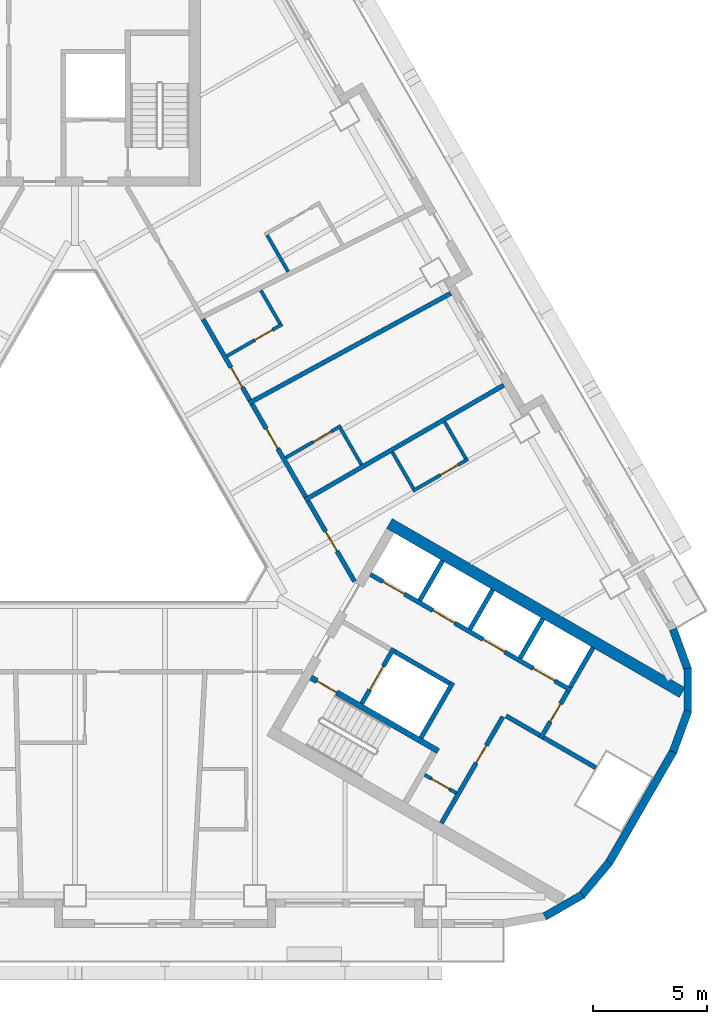
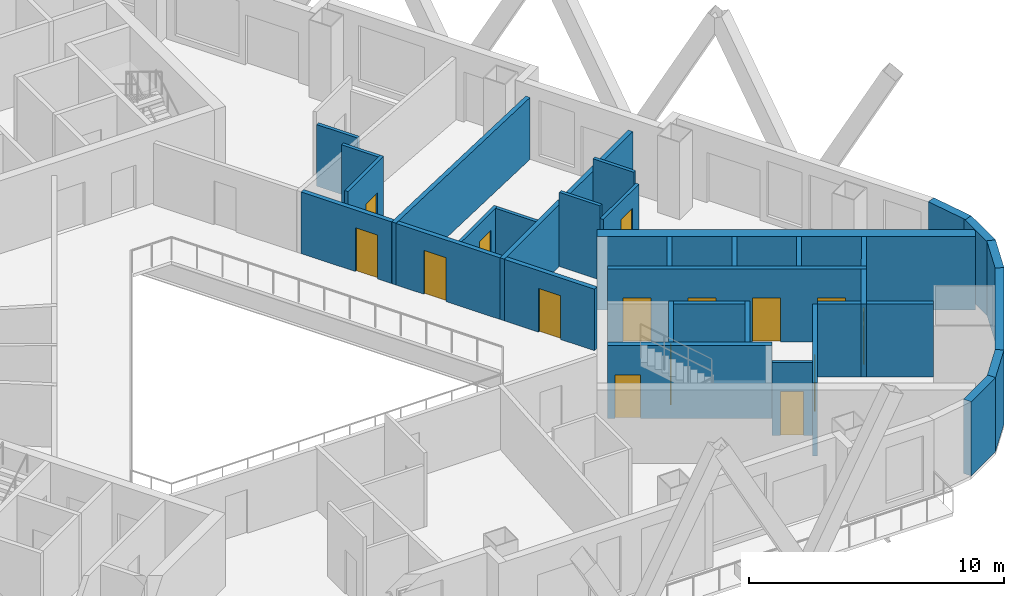
# One storey, part 5 of 13: 34 walls, 15 doors, 15 openings.
"""IFC4 building model written with IfcOpenShell, lengths in metres."""

from ifc_helpers import new_model, si_unit, direction, frame, frame_2d, origin, place, context, subcontext, project, spatial, rectangle, extrude, material, layer, layer_set, type_object, element, fill, save


model = new_model("IFC4")

# Units and contexts
model_context = context("Model", 3, precision=1e-05, world=origin(), true_north=direction((0.0, 1.0)))
body_context = subcontext(model_context, "Body", "Model", "MODEL_VIEW")
ifc_project = project(units=[si_unit("LENGTHUNIT", "METRE"), si_unit("AREAUNIT", "SQUARE_METRE"), si_unit("VOLUMEUNIT", "CUBIC_METRE"), si_unit("PLANEANGLEUNIT", "RADIAN"), si_unit("MASSUNIT", "GRAM", prefix="KILO")], contexts=[model_context])

# Site, building, storey
site_placement = place(None, origin())
site = spatial("IfcSite", under=ifc_project, at=site_placement, CompositionType="ELEMENT")
building_placement = place(site_placement, origin())
building = spatial("IfcBuilding", under=site, at=building_placement, Name="Apuvela Tower Hotel", CompositionType="ELEMENT")
storey_placement = place(building_placement, frame((0.0, 0.0, 83.5)))
storey = spatial("IfcBuildingStorey", under=building, at=storey_placement, Name="L18", CompositionType="ELEMENT", Elevation=83.5)

# Wall
ifc_material_1 = material(Name="Concrete C50/60", Category="concrete")
ifc_layer_1 = layer(ifc_material_1, 0.5)
ifc_layer_set_1 = layer_set([ifc_layer_1], Name="COR-WALL-CORE-500")
wall_type_1 = type_object("IfcWallType", Name="COR-WALL-CORE-500", PredefinedType="SHEAR", material=ifc_layer_set_1)
wall_1_placement = place(storey_placement, frame((13.796630859375, -1.9033203125, 0.0), z_axis=(0.0, 0.0, 1.0), x_axis=(0.866025009528, -0.500000682871, 0.0)))
element("IfcWall", 1, at=wall_1_placement, inside=storey, type_object=wall_type_1, Name="Core wall SE", PredefinedType="SHEAR", context=body_context, shape_type="SweptSolid", body=[
    extrude(rectangle(XDim=14.8369140625, YDim=0.5, at=frame_2d((7.41845703125, 0.0))), origin(), (0.0, 0.0, 1.0), 3.5),
])

# Wall, opening, door
ifc_material_2 = material(Name="Blockwork 150 mm plastered", Category="masonry")
ifc_layer_2 = layer(ifc_material_2, 0.14990234375)
ifc_layer_set_2 = layer_set([ifc_layer_2], Name="COR-WALL-PART-150")
wall_type_2 = type_object("IfcWallType", Name="COR-WALL-PART-150", PredefinedType="PARTITIONING", material=ifc_layer_set_2)
wall_2_placement = place(storey_placement, frame((15.341552734375, -12.927734375, 0.0), z_axis=(0.0, 0.0, 1.0), x_axis=(0.865989903783, -0.500061482766, 0.0)))
wall_2 = element("IfcWall", 2, at=wall_2_placement, inside=storey, type_object=wall_type_2, Name="Partition SE", PredefinedType="PARTITIONING", context=body_context, shape_type="SweptSolid", body=[
    extrude(rectangle(XDim=1.599853515625, YDim=0.14990234375, at=frame_2d((0.7998046875, 0.0))), origin(), (0.0, 0.0, 1.0), 3.5),
])
opening_1_placement = place(wall_2_placement, frame((0.35009765625, 0.0, 0.0)))
opening_1 = element("IfcOpeningElement", 3, at=opening_1_placement, cuts=wall_2, Name="Opening E-RD", PredefinedType="OPENING", context=body_context, shape_type="SweptSolid", body=[
    extrude(rectangle(XDim=0.89990234375, YDim=2.10009765625, at=frame_2d((0.449951171875, 1.050048828125))), frame((0.0, 0.0849609375, 0.0), z_axis=(0.0, -1.0, 0.0), x_axis=(1.0, 0.0, 0.0)), (0.0, 0.0, 1.0), 0.169921875),
])
ifc_material_3 = material(Name="Steel access door, powder coated", Category="steel")
door_type_1 = type_object("IfcDoorType", Name="COR-RD-900", OperationType="NOTDEFINED", PredefinedType="DOOR", material=ifc_material_3)
door_1_placement = place(opening_1_placement, frame((0.89990234375, 0.0, 0.0), z_axis=(0.0, 0.0, 1.0), x_axis=(-1.0, 0.0, 0.0)))
door_1 = element("IfcDoor", 4, at=door_1_placement, inside=storey, type_object=door_type_1, Name="Riser door E-RD", OperationType="SINGLE_SWING_LEFT", OverallHeight=2.10009765625, OverallWidth=0.89990234375, PredefinedType="DOOR", context=body_context, shape_type="SweptSolid", body=[
    extrude(rectangle(XDim=0.89990234375, YDim=2.10009765625, at=frame_2d((0.449951171875, 1.050048828125))), frame((0.0, 0.02490234375, 0.0), z_axis=(0.0, -1.0, 0.0), x_axis=(1.0, 0.0, 0.0)), (0.0, 0.0, 1.0), 0.050048828125),
])
fill(opening_1, door_1)

ifc_material_4 = material(Name="Blockwork 200 mm plastered", Category="masonry")
ifc_layer_3 = layer(ifc_material_4, 0.199951171875)
ifc_layer_set_3 = layer_set([ifc_layer_3], Name="COR-WALL-PART-200")
wall_type_3 = type_object("IfcWallType", Name="COR-WALL-PART-200", PredefinedType="PARTITIONING", material=ifc_layer_set_3)
wall_3_placement = place(storey_placement, frame((16.076171875, -15.05517578125, 0.0), z_axis=(0.0, 0.0, 1.0), x_axis=(0.499995103361, 0.866028230842, 0.0)))
wall_3 = element("IfcWall", 5, at=wall_3_placement, inside=storey, type_object=wall_type_3, Name="Partition SE", PredefinedType="PARTITIONING", context=body_context, shape_type="SweptSolid", body=[
    extrude(rectangle(XDim=5.39990234375, YDim=0.199951171875, at=frame_2d((2.699951171875, 0.0))), origin(), (0.0, 0.0, 1.0), 3.5),
])
opening_2_placement = place(wall_3_placement, frame((3.050048828125, 0.0, 0.0)))
opening_2 = element("IfcOpeningElement", 6, at=opening_2_placement, cuts=wall_3, Name="Opening E-RS1", PredefinedType="OPENING", context=body_context, shape_type="SweptSolid", body=[
    extrude(rectangle(XDim=0.89990234375, YDim=2.10009765625, at=frame_2d((0.449951171875, 1.050048828125))), frame((0.0, 0.10986328125, 0.0), z_axis=(0.0, -1.0, 0.0), x_axis=(1.0, 0.0, 0.0)), (0.0, 0.0, 1.0), 0.219970703125),
])
ifc_material_5 = material(Name="Steel fire door, powder coated", Category="steel")
door_type_2 = type_object("IfcDoorType", Name="COR-DR-900", OperationType="NOTDEFINED", PredefinedType="DOOR", material=ifc_material_5)
door_2_placement = place(opening_2_placement, frame((0.89990234375, 0.0, 0.0), z_axis=(0.0, 0.0, 1.0), x_axis=(-1.0, 0.0, 0.0)))
door_2 = element("IfcDoor", 7, at=door_2_placement, inside=storey, type_object=door_type_2, Name="Store door E-RS1", OperationType="SINGLE_SWING_LEFT", OverallHeight=2.10009765625, OverallWidth=0.89990234375, PredefinedType="DOOR", context=body_context, shape_type="SweptSolid", body=[
    extrude(rectangle(XDim=0.89990234375, YDim=2.10009765625, at=frame_2d((0.449951171875, 1.050048828125))), frame((0.0, 0.02490234375, 0.0), z_axis=(0.0, -1.0, 0.0), x_axis=(1.0, 0.0, 0.0)), (0.0, 0.0, 1.0), 0.050048828125),
])
fill(opening_2, door_2)

# Wall
ifc_layer_4 = layer(ifc_material_1, 0.199951171875)
ifc_layer_set_4 = layer_set([ifc_layer_4], Name="COR-WALL-SHAFT-200")
wall_type_4 = type_object("IfcWallType", Name="COR-WALL-SHAFT-200", PredefinedType="SHEAR", material=ifc_layer_set_4)
wall_4_placement = place(storey_placement, frame((15.181396484375, -11.305419921875, 0.0), z_axis=(0.0, 0.0, 1.0), x_axis=(0.49994636267, 0.866056369097, 0.0)))
element("IfcWall", 8, at=wall_4_placement, inside=storey, type_object=wall_type_4, Name="Shaft wall SE", PredefinedType="SHEAR", context=body_context, shape_type="SweptSolid", body=[
    extrude(rectangle(XDim=2.800048828125, YDim=0.199951171875, at=frame_2d((1.39990234375, 0.0))), origin(), (0.0, 0.0, 1.0), 3.5),
])

# Wall, opening, door
wall_5_placement = place(storey_placement, frame((12.583251953125, -9.805419921875, 0.0), z_axis=(0.0, 0.0, 1.0), x_axis=(0.49994636267, 0.866056369097, 0.0)))
wall_5 = element("IfcWall", 9, at=wall_5_placement, inside=storey, type_object=wall_type_4, Name="Shaft wall SE", PredefinedType="SHEAR", context=body_context, shape_type="SweptSolid", body=[
    extrude(rectangle(XDim=2.800048828125, YDim=0.199951171875, at=frame_2d((1.39990234375, 0.0))), origin(), (0.0, 0.0, 1.0), 3.5),
])
opening_3_placement = place(wall_5_placement, frame((0.699951171875, 0.0, 0.0)))
opening_3 = element("IfcOpeningElement", 10, at=opening_3_placement, cuts=wall_5, Name="Opening E-LD-FS3", PredefinedType="OPENING", context=body_context, shape_type="SweptSolid", body=[
    extrude(rectangle(XDim=1.199951171875, YDim=2.10009765625, at=frame_2d((0.60009765625, 1.050048828125))), frame((0.0, 0.10986328125, 0.0), z_axis=(0.0, -1.0, 0.0), x_axis=(1.0, 0.0, 0.0)), (0.0, 0.0, 1.0), 0.219970703125),
])
ifc_material_6 = material(Name="Stainless steel lift landing door", Category="steel")
door_type_3 = type_object("IfcDoorType", Name="COR-LD-1200", OperationType="DOUBLE_DOOR_SLIDING", PredefinedType="DOOR", material=ifc_material_6)
door_3_placement = place(opening_3_placement, origin())
door_3 = element("IfcDoor", 11, at=door_3_placement, inside=storey, type_object=door_type_3, Name="Lift landing door E-LD-FS3", OperationType="DOUBLE_DOOR_SLIDING", OverallHeight=2.10009765625, OverallWidth=1.199951171875, PredefinedType="DOOR", context=body_context, shape_type="SweptSolid", body=[
    extrude(rectangle(XDim=1.199951171875, YDim=2.10009765625, at=frame_2d((0.60009765625, 1.050048828125))), frame((0.0, 0.02490234375, 0.0), z_axis=(0.0, -1.0, 0.0), x_axis=(1.0, 0.0, 0.0)), (0.0, 0.0, 1.0), 0.050048828125),
])
fill(opening_3, door_3)

# Wall
wall_6_placement = place(storey_placement, frame((14.019775390625, -7.51708984375, 0.0), z_axis=(0.0, 0.0, 1.0), x_axis=(0.866034573852, -0.49998411664, 0.0)))
element("IfcWall", 12, at=wall_6_placement, inside=storey, type_object=wall_type_4, Name="Shaft wall SE", PredefinedType="SHEAR", context=body_context, shape_type="SweptSolid", body=[
    extrude(rectangle(XDim=2.7998046875, YDim=0.199951171875, at=frame_2d((1.39990234375, 0.0))), origin(), (0.0, 0.0, 1.0), 3.5),
])

# Wall, openings, doors
wall_7_placement = place(storey_placement, frame((12.968017578125, -4.138427734375, 0.0), z_axis=(0.0, 0.0, 1.0), x_axis=(0.866028328073, -0.49999493495, 0.0)))
wall_7 = element("IfcWall", 13, at=wall_7_placement, inside=storey, type_object=wall_type_4, Name="Shaft wall SE", PredefinedType="SHEAR", context=body_context, shape_type="SweptSolid", body=[
    extrude(rectangle(XDim=10.16015625, YDim=0.199951171875, at=frame_2d((5.080078125, 0.0))), origin(), (0.0, 0.0, 1.0), 3.5),
])
opening_4_placement = place(wall_7_placement, frame((0.6201171875, 0.0, 0.0)))
opening_4 = element("IfcOpeningElement", 14, at=opening_4_placement, cuts=wall_7, Name="Opening E-LD-LR1", PredefinedType="OPENING", context=body_context, shape_type="SweptSolid", body=[
    extrude(rectangle(XDim=1.10009765625, YDim=2.10009765625, at=frame_2d((0.550048828125, 1.050048828125))), frame((0.0, 0.10986328125, 0.0), z_axis=(0.0, -1.0, 0.0), x_axis=(1.0, 0.0, 0.0)), (0.0, 0.0, 1.0), 0.219970703125),
])
opening_5_placement = place(wall_7_placement, frame((3.159912109375, 0.0, 0.0)))
opening_5 = element("IfcOpeningElement", 15, at=opening_5_placement, cuts=wall_7, Name="Opening E-LD-LR2", PredefinedType="OPENING", context=body_context, shape_type="SweptSolid", body=[
    extrude(rectangle(XDim=1.10009765625, YDim=2.10009765625, at=frame_2d((0.550048828125, 1.050048828125))), frame((0.0, 0.10986328125, 0.0), z_axis=(0.0, -1.0, 0.0), x_axis=(1.0, 0.0, 0.0)), (0.0, 0.0, 1.0), 0.219970703125),
])
opening_6_placement = place(wall_7_placement, frame((5.699951171875, 0.0, 0.0)))
opening_6 = element("IfcOpeningElement", 16, at=opening_6_placement, cuts=wall_7, Name="Opening E-LD-LR3", PredefinedType="OPENING", context=body_context, shape_type="SweptSolid", body=[
    extrude(rectangle(XDim=1.10009765625, YDim=2.10009765625, at=frame_2d((0.550048828125, 1.050048828125))), frame((0.0, 0.10986328125, 0.0), z_axis=(0.0, -1.0, 0.0), x_axis=(1.0, 0.0, 0.0)), (0.0, 0.0, 1.0), 0.219970703125),
])
opening_7_placement = place(wall_7_placement, frame((8.239990234375, 0.0, 0.0)))
opening_7 = element("IfcOpeningElement", 17, at=opening_7_placement, cuts=wall_7, Name="Opening E-LD-LR4", PredefinedType="OPENING", context=body_context, shape_type="SweptSolid", body=[
    extrude(rectangle(XDim=1.10009765625, YDim=2.10009765625, at=frame_2d((0.550048828125, 1.050048828125))), frame((0.0, 0.10986328125, 0.0), z_axis=(0.0, -1.0, 0.0), x_axis=(1.0, 0.0, 0.0)), (0.0, 0.0, 1.0), 0.219970703125),
])
door_type_4 = type_object("IfcDoorType", Name="COR-LD-1100", OperationType="DOUBLE_DOOR_SLIDING", PredefinedType="DOOR", material=ifc_material_6)
door_4_placement = place(opening_4_placement, origin())
door_4 = element("IfcDoor", 18, at=door_4_placement, inside=storey, type_object=door_type_4, Name="Lift landing door E-LD-LR1", OperationType="DOUBLE_DOOR_SLIDING", OverallHeight=2.10009765625, OverallWidth=1.10009765625, PredefinedType="DOOR", context=body_context, shape_type="SweptSolid", body=[
    extrude(rectangle(XDim=1.10009765625, YDim=2.10009765625, at=frame_2d((0.550048828125, 1.050048828125))), frame((0.0, 0.02490234375, 0.0), z_axis=(0.0, -1.0, 0.0), x_axis=(1.0, 0.0, 0.0)), (0.0, 0.0, 1.0), 0.050048828125),
])
fill(opening_4, door_4)
door_5_placement = place(opening_5_placement, origin())
door_5 = element("IfcDoor", 19, at=door_5_placement, inside=storey, type_object=door_type_4, Name="Lift landing door E-LD-LR2", OperationType="DOUBLE_DOOR_SLIDING", OverallHeight=2.10009765625, OverallWidth=1.10009765625, PredefinedType="DOOR", context=body_context, shape_type="SweptSolid", body=[
    extrude(rectangle(XDim=1.10009765625, YDim=2.10009765625, at=frame_2d((0.550048828125, 1.050048828125))), frame((0.0, 0.02490234375, 0.0), z_axis=(0.0, -1.0, 0.0), x_axis=(1.0, 0.0, 0.0)), (0.0, 0.0, 1.0), 0.050048828125),
])
fill(opening_5, door_5)
door_6_placement = place(opening_6_placement, origin())
door_6 = element("IfcDoor", 20, at=door_6_placement, inside=storey, type_object=door_type_4, Name="Lift landing door E-LD-LR3", OperationType="DOUBLE_DOOR_SLIDING", OverallHeight=2.10009765625, OverallWidth=1.10009765625, PredefinedType="DOOR", context=body_context, shape_type="SweptSolid", body=[
    extrude(rectangle(XDim=1.10009765625, YDim=2.10009765625, at=frame_2d((0.550048828125, 1.050048828125))), frame((0.0, 0.02490234375, 0.0), z_axis=(0.0, -1.0, 0.0), x_axis=(1.0, 0.0, 0.0)), (0.0, 0.0, 1.0), 0.050048828125),
])
fill(opening_6, door_6)
door_7_placement = place(opening_7_placement, origin())
door_7 = element("IfcDoor", 21, at=door_7_placement, inside=storey, type_object=door_type_4, Name="Lift landing door E-LD-LR4", OperationType="DOUBLE_DOOR_SLIDING", OverallHeight=2.10009765625, OverallWidth=1.10009765625, PredefinedType="DOOR", context=body_context, shape_type="SweptSolid", body=[
    extrude(rectangle(XDim=1.10009765625, YDim=2.10009765625, at=frame_2d((0.550048828125, 1.050048828125))), frame((0.0, 0.02490234375, 0.0), z_axis=(0.0, -1.0, 0.0), x_axis=(1.0, 0.0, 0.0)), (0.0, 0.0, 1.0), 0.050048828125),
])
fill(opening_7, door_7)

# Wall, opening, door
wall_8_placement = place(storey_placement, frame((20.430419921875, -11.33349609375, 0.0), z_axis=(0.0, 0.0, 1.0), x_axis=(0.500001309137, 0.866024647952, 0.0)))
wall_8 = element("IfcWall", 22, at=wall_8_placement, inside=storey, type_object=wall_type_4, Name="Shaft wall SE", PredefinedType="SHEAR", context=body_context, shape_type="SweptSolid", body=[
    extrude(rectangle(XDim=2.39990234375, YDim=0.199951171875, at=frame_2d((1.199951171875, 0.0))), origin(), (0.0, 0.0, 1.0), 3.5),
])
opening_8_placement = place(wall_8_placement, frame((0.85009765625, 0.0, 0.0)))
opening_8 = element("IfcOpeningElement", 23, at=opening_8_placement, cuts=wall_8, Name="Opening E-REP", PredefinedType="OPENING", context=body_context, shape_type="SweptSolid", body=[
    extrude(rectangle(XDim=0.89990234375, YDim=2.10009765625, at=frame_2d((0.449951171875, 1.050048828125))), frame((0.0, 0.10986328125, 0.0), z_axis=(0.0, -1.0, 0.0), x_axis=(1.0, 0.0, 0.0)), (0.0, 0.0, 1.0), 0.219970703125),
])
door_8_placement = place(opening_8_placement, frame((0.89990234375, 0.0, 0.0), z_axis=(0.0, 0.0, 1.0), x_axis=(-1.0, 0.0, 0.0)))
door_8 = element("IfcDoor", 24, at=door_8_placement, inside=storey, type_object=door_type_2, Name="Store door E-REP", OperationType="SINGLE_SWING_RIGHT", OverallHeight=2.10009765625, OverallWidth=0.89990234375, PredefinedType="DOOR", context=body_context, shape_type="SweptSolid", body=[
    extrude(rectangle(XDim=0.89990234375, YDim=2.10009765625, at=frame_2d((0.449951171875, 1.050048828125))), frame((0.0, 0.02490234375, 0.0), z_axis=(0.0, -1.0, 0.0), x_axis=(1.0, 0.0, 0.0)), (0.0, 0.0, 1.0), 0.050048828125),
])
fill(opening_8, door_8)

# Walls
wall_9_placement = place(storey_placement, frame((18.912841796875, -10.342041015625, 0.0), z_axis=(0.0, 0.0, 1.0), x_axis=(0.866038183914, -0.499977863513, 0.0)))
element("IfcWall", 25, at=wall_9_placement, inside=storey, type_object=wall_type_4, Name="Shaft wall SE", PredefinedType="SHEAR", context=body_context, shape_type="SweptSolid", body=[
    extrude(rectangle(XDim=1.7099609375, YDim=0.199951171875, at=frame_2d((0.85498046875, 0.0))), origin(), (0.0, 0.0, 1.0), 3.5),
])
for number, where, z_axis, x_axis, name in (
    (26, (15.131103515625, -5.27197265625, 0.0), (0.0, 0.0, 1.0), (0.499972520799, 0.866041268327, 0.0), "Shaft wall SE"),
    (27, (17.330810546875, -6.5419921875, 0.0), (0.0, 0.0, 1.0), (0.499972520799, 0.866041268327, 0.0), "Shaft wall SE"),
    (28, (19.530517578125, -7.81201171875, 0.0), (0.0, 0.0, 1.0), (0.499972520799, 0.866041268327, 0.0), "Shaft wall SE"),
    (29, (21.73046875, -9.081787109375, 0.0), (0.0, 0.0, 1.0), (0.50002537861, 0.866010750942, 0.0), "Shaft wall SE"),
):
    element("IfcWall", number, at=place(storey_placement, frame(where, z_axis=z_axis, x_axis=x_axis)), inside=storey, type_object=wall_type_4, Name=name, PredefinedType="SHEAR", context=body_context, shape_type="SweptSolid", body=[
        extrude(rectangle(XDim=2.0, YDim=0.199951171875, at=frame_2d((1.0, 0.0))), origin(), (0.0, 0.0, 1.0), 3.5),
    ])
wall_10_placement = place(storey_placement, frame((20.56689453125, -11.297119140625, 0.0), z_axis=(0.0, 0.0, 1.0), x_axis=(0.866060851709, -0.499938597367, 0.0)))
element("IfcWall", 30, at=wall_10_placement, inside=storey, type_object=wall_type_4, Name="Shaft wall SE", PredefinedType="SHEAR", context=body_context, shape_type="SweptSolid", body=[
    extrude(rectangle(XDim=2.639892578125, YDim=0.199951171875, at=frame_2d((1.31982421875, 0.0))), origin(), (0.0, 0.0, 1.0), 3.5),
])

# Wall, opening, door
ifc_layer_5 = layer(ifc_material_1, 0.25)
ifc_layer_set_5 = layer_set([ifc_layer_5], Name="COR-WALL-STAIR-250")
wall_type_5 = type_object("IfcWallType", Name="COR-WALL-STAIR-250", PredefinedType="SHEAR", material=ifc_layer_set_5)
wall_11_placement = place(storey_placement, frame((10.355712890625, -8.66357421875, 0.0), z_axis=(0.0, 0.0, 1.0), x_axis=(0.866028629588, -0.499994412703, 0.0)))
wall_11 = element("IfcWall", 31, at=wall_11_placement, inside=storey, type_object=wall_type_5, Name="Stair wall SE", PredefinedType="SHEAR", context=body_context, shape_type="SweptSolid", body=[
    extrude(rectangle(XDim=6.44970703125, YDim=0.25, at=frame_2d((3.224853515625, 0.0))), origin(), (0.0, 0.0, 1.0), 3.5),
])
opening_9_placement = place(wall_11_placement, frame((0.300048828125, 0.0, 0.0)))
opening_9 = element("IfcOpeningElement", 32, at=opening_9_placement, cuts=wall_11, Name="Opening E-SD", PredefinedType="OPENING", context=body_context, shape_type="SweptSolid", body=[
    extrude(rectangle(XDim=1.0, YDim=2.10009765625, at=frame_2d((0.5, 1.050048828125))), frame((0.0, 0.135009765625, 0.0), z_axis=(0.0, -1.0, 0.0), x_axis=(1.0, 0.0, 0.0)), (0.0, 0.0, 1.0), 0.27001953125),
])
door_type_5 = type_object("IfcDoorType", Name="COR-SD-1000", OperationType="NOTDEFINED", PredefinedType="DOOR", material=ifc_material_5)
door_9_placement = place(opening_9_placement, frame((1.0, 0.0, 0.0), z_axis=(0.0, 0.0, 1.0), x_axis=(-1.0, 0.0, 0.0)))
door_9 = element("IfcDoor", 33, at=door_9_placement, inside=storey, type_object=door_type_5, Name="Stair door E-SD", OperationType="SINGLE_SWING_LEFT", OverallHeight=2.10009765625, OverallWidth=1.0, PredefinedType="DOOR", context=body_context, shape_type="SweptSolid", body=[
    extrude(rectangle(XDim=1.0, YDim=2.10009765625, at=frame_2d((0.5, 1.050048828125))), frame((0.0, 0.02490234375, 0.0), z_axis=(0.0, -1.0, 0.0), x_axis=(1.0, 0.0, 0.0)), (0.0, 0.0, 1.0), 0.050048828125),
])
fill(opening_9, door_9)

# Walls
ifc_material_7 = material(Name="Concrete C40/50, dark pigmented precast panel", Category="concrete")
ifc_layer_6 = layer(ifc_material_7, 0.35009765625)
ifc_layer_set_6 = layer_set([ifc_layer_6], Name="ENV-WALL-350")
wall_type_6 = type_object("IfcWallType", Name="ENV-WALL-350", PredefinedType="SOLIDWALL", material=ifc_layer_set_6)
for number, where, z_axis, x_axis, name in (
    (34, (20.609619140625, -19.146728515625, 0.0), (0.0, 0.0, 1.0), (0.866000389056, 0.500043324278, 0.0), "External wall L18-27"),
    (35, (22.21728515625, -18.230712890625, 0.0), (0.0, 0.0, 1.0), (0.642733291068, 0.76609001857, 0.0), "External wall L18-28"),
):
    element("IfcWall", number, at=place(storey_placement, frame(where, z_axis=z_axis, x_axis=x_axis)), inside=storey, type_object=wall_type_6, Name=name, PredefinedType="SOLIDWALL", context=body_context, shape_type="SweptSolid", body=[
        extrude(rectangle(XDim=1.909912109375, YDim=0.35009765625, at=frame_2d((0.955078125, 0.0))), origin(), (0.0, 0.0, 1.0), 3.550048828125),
    ])
wall_12_placement = place(storey_placement, frame((23.427490234375, -16.79248046875, 0.0), z_axis=(0.0, 0.0, 1.0), x_axis=(0.500018773155, 0.866014564827, 0.0)))
element("IfcWall", 36, at=wall_12_placement, inside=storey, type_object=wall_type_6, Name="External wall L18-29", PredefinedType="SOLIDWALL", context=body_context, shape_type="SweptSolid", body=[
    extrude(rectangle(XDim=5.657958984375, YDim=0.35009765625, at=frame_2d((2.8291015625, 0.0))), origin(), (0.0, 0.0, 1.0), 3.550048828125),
])
for number, where, z_axis, x_axis, name in (
    (37, (26.24365234375, -11.920166015625, 0.0), (0.0, 0.0, 1.0), (0.342030395486, 0.939688889242, 0.0), "External wall L18-30"),
    (38, (26.88623046875, -10.18505859375, 0.0), (0.0, 0.0, 1.0), (0.0, 1.0, 0.0), "External wall L18-31"),
    (39, (26.89697265625, -8.334716796875, 0.0), (0.0, 0.0, 1.0), (-0.342030395486, 0.939688889242, 0.0), "External wall L18-32"),
):
    element("IfcWall", number, at=place(storey_placement, frame(where, z_axis=z_axis, x_axis=x_axis)), inside=storey, type_object=wall_type_6, Name=name, PredefinedType="SOLIDWALL", context=body_context, shape_type="SweptSolid", body=[
        extrude(rectangle(XDim=1.91015625, YDim=0.35009765625, at=frame_2d((0.955078125, 0.0))), origin(), (0.0, 0.0, 1.0), 3.550048828125),
    ])
ifc_material_8 = material(Name="Gypsum board partition on twin steel stud", Category="steel")
ifc_layer_7 = layer(ifc_material_8, 0.199951171875)
ifc_layer_set_7 = layer_set([ifc_layer_7], Name="GST-PW1")
wall_type_7 = type_object("IfcWallType", Name="GST-PW1", PredefinedType="PARTITIONING", material=ifc_layer_set_7)
wall_13_placement = place(storey_placement, frame((18.817626953125, 4.1669921875, 0.0), z_axis=(0.0, 0.0, 1.0), x_axis=(-0.866039179741, -0.499976138585, 0.0)))
element("IfcWall", 40, at=wall_13_placement, inside=storey, type_object=wall_type_7, Name="L18 partition 03", PredefinedType="PARTITIONING", context=body_context, shape_type="SweptSolid", body=[
    extrude(rectangle(XDim=10.080078125, YDim=0.199951171875, at=frame_2d((5.0400390625, 0.0))), origin(), (0.0, 0.0, 1.0), 2.9599609375),
])
wall_14_placement = place(storey_placement, frame((16.4912109375, 8.1962890625, 0.0), z_axis=(0.0, 0.0, 1.0), x_axis=(-0.878274684292, -0.478156437719, 0.0)))
element("IfcWall", 41, at=wall_14_placement, inside=storey, type_object=wall_type_7, Name="L18 partition 04", PredefinedType="PARTITIONING", context=body_context, shape_type="SweptSolid", body=[
    extrude(rectangle(XDim=10.0830078125, YDim=0.199951171875, at=frame_2d((5.04150390625, 0.0))), origin(), (0.0, 0.0, 1.0), 2.9599609375),
])

# Wall, opening, door
ifc_material_9 = material(Name="Gypsum board corridor wall on twin steel stud, acoustic", Category="steel")
ifc_layer_8 = layer(ifc_material_9, 0.199951171875)
ifc_layer_set_8 = layer_set([ifc_layer_8], Name="GST-PW2")
wall_type_8 = type_object("IfcWallType", Name="GST-PW2", PredefinedType="PARTITIONING", material=ifc_layer_set_8)
wall_15_placement = place(storey_placement, frame((10.224609375, -0.909423828125, 0.0), z_axis=(0.0, 0.0, 1.0), x_axis=(0.500011931275, -0.86601851515, 0.0)))
wall_15 = element("IfcWall", 42, at=wall_15_placement, inside=storey, type_object=wall_type_8, Name="L18 partition 19", PredefinedType="PARTITIONING", context=body_context, shape_type="SweptSolid", body=[
    extrude(rectangle(XDim=4.08837890625, YDim=0.199951171875, at=frame_2d((2.044189453125, 0.0))), origin(), (0.0, 0.0, 1.0), 2.949951171875),
])
opening_10_placement = place(wall_15_placement, frame((1.544189453125, 0.0, 0.0)))
opening_10 = element("IfcOpeningElement", 43, at=opening_10_placement, cuts=wall_15, Name="Opening GD05-08", PredefinedType="OPENING", context=body_context, shape_type="SweptSolid", body=[
    extrude(rectangle(XDim=1.0, YDim=2.10009765625, at=frame_2d((0.5, 1.050048828125))), frame((0.0, 0.10986328125, 0.0), z_axis=(0.0, -1.0, 0.0), x_axis=(1.0, 0.0, 0.0)), (0.0, 0.0, 1.0), 0.219970703125),
])
ifc_material_10 = material(Name="Timber door leaf in steel frame", Category="steel")
door_type_6 = type_object("IfcDoorType", Name="GST-D1", OperationType="NOTDEFINED", PredefinedType="DOOR", material=ifc_material_10)
door_10_placement = place(opening_10_placement, origin())
door_10 = element("IfcDoor", 44, at=door_10_placement, inside=storey, type_object=door_type_6, Name="Door L18-08", OperationType="SINGLE_SWING_LEFT", OverallHeight=2.10009765625, OverallWidth=1.0, PredefinedType="DOOR", context=body_context, shape_type="SweptSolid", body=[
    extrude(rectangle(XDim=1.0, YDim=2.10009765625, at=frame_2d((0.5, 1.050048828125))), frame((0.0, 0.02490234375, 0.0), z_axis=(0.0, -1.0, 0.0), x_axis=(1.0, 0.0, 0.0)), (0.0, 0.0, 1.0), 0.050048828125),
])
fill(opening_10, door_10)

wall_16_placement = place(storey_placement, frame((7.7734375, 3.336181640625, 0.0), z_axis=(0.0, 0.0, 1.0), x_axis=(0.499969633922, -0.866042934938, 0.0)))
wall_16 = element("IfcWall", 45, at=wall_16_placement, inside=storey, type_object=wall_type_8, Name="L18 partition 23", PredefinedType="PARTITIONING", context=body_context, shape_type="SweptSolid", body=[
    extrude(rectangle(XDim=4.702392578125, YDim=0.199951171875, at=frame_2d((2.35107421875, 0.0))), origin(), (0.0, 0.0, 1.0), 2.949951171875),
])
opening_11_placement = place(wall_16_placement, frame((1.25244140625, 0.0, 0.0)))
opening_11 = element("IfcOpeningElement", 46, at=opening_11_placement, cuts=wall_16, Name="Opening GD05-10", PredefinedType="OPENING", context=body_context, shape_type="SweptSolid", body=[
    extrude(rectangle(XDim=1.0, YDim=2.10009765625, at=frame_2d((0.5, 1.050048828125))), frame((0.0, 0.10986328125, 0.0), z_axis=(0.0, -1.0, 0.0), x_axis=(1.0, 0.0, 0.0)), (0.0, 0.0, 1.0), 0.219970703125),
])
door_11_placement = place(opening_11_placement, origin())
door_11 = element("IfcDoor", 47, at=door_11_placement, inside=storey, type_object=door_type_6, Name="Door L18-10", OperationType="SINGLE_SWING_LEFT", OverallHeight=2.10009765625, OverallWidth=1.0, PredefinedType="DOOR", context=body_context, shape_type="SweptSolid", body=[
    extrude(rectangle(XDim=1.0, YDim=2.10009765625, at=frame_2d((0.5, 1.050048828125))), frame((0.0, 0.02490234375, 0.0), z_axis=(0.0, -1.0, 0.0), x_axis=(1.0, 0.0, 0.0)), (0.0, 0.0, 1.0), 0.050048828125),
])
fill(opening_11, door_11)

wall_17_placement = place(storey_placement, frame((5.62158203125, 7.063232421875, 0.0), z_axis=(0.0, 0.0, 1.0), x_axis=(0.500003992843, -0.866023098503, 0.0)))
wall_17 = element("IfcWall", 48, at=wall_17_placement, inside=storey, type_object=wall_type_8, Name="L18 partition 26", PredefinedType="PARTITIONING", context=body_context, shape_type="SweptSolid", body=[
    extrude(rectangle(XDim=4.103515625, YDim=0.199951171875, at=frame_2d((2.0517578125, 0.0))), origin(), (0.0, 0.0, 1.0), 2.949951171875),
])
opening_12_placement = place(wall_17_placement, frame((2.456298828125, 0.0, 0.0)))
opening_12 = element("IfcOpeningElement", 49, at=opening_12_placement, cuts=wall_17, Name="Opening GD05-12", PredefinedType="OPENING", context=body_context, shape_type="SweptSolid", body=[
    extrude(rectangle(XDim=1.0, YDim=2.10009765625, at=frame_2d((0.5, 1.050048828125))), frame((0.0, 0.10986328125, 0.0), z_axis=(0.0, -1.0, 0.0), x_axis=(1.0, 0.0, 0.0)), (0.0, 0.0, 1.0), 0.219970703125),
])
door_12_placement = place(opening_12_placement, origin())
door_12 = element("IfcDoor", 50, at=door_12_placement, inside=storey, type_object=door_type_6, Name="Door L18-12", OperationType="SINGLE_SWING_RIGHT", OverallHeight=2.10009765625, OverallWidth=1.0, PredefinedType="DOOR", context=body_context, shape_type="SweptSolid", body=[
    extrude(rectangle(XDim=1.0, YDim=2.10009765625, at=frame_2d((0.5, 1.050048828125))), frame((0.0, 0.02490234375, 0.0), z_axis=(0.0, -1.0, 0.0), x_axis=(1.0, 0.0, 0.0)), (0.0, 0.0, 1.0), 0.050048828125),
])
fill(opening_12, door_12)

ifc_material_11 = material(Name="Moisture-resistant gypsum board wet wall on steel stud", Category="steel")
ifc_layer_9 = layer(ifc_material_11, 0.14990234375)
ifc_layer_set_9 = layer_set([ifc_layer_9], Name="GST-PW3")
wall_type_9 = type_object("IfcWallType", Name="GST-PW3", PredefinedType="PARTITIONING", material=ifc_layer_set_9)
wall_18_placement = place(storey_placement, frame((14.824462890625, -0.4765625, 0.0), z_axis=(0.0, 0.0, 1.0), x_axis=(0.866034573852, 0.49998411664, 0.0)))
wall_18 = element("IfcWall", 51, at=wall_18_placement, inside=storey, type_object=wall_type_9, Name="L18 partition 20", PredefinedType="PARTITIONING", context=body_context, shape_type="SweptSolid", body=[
    extrude(rectangle(XDim=2.7998046875, YDim=0.14990234375, at=frame_2d((1.39990234375, 0.0))), origin(), (0.0, 0.0, 1.0), 2.949951171875),
])
opening_13_placement = place(wall_18_placement, frame((1.39990234375, 0.0, 0.0)))
opening_13 = element("IfcOpeningElement", 52, at=opening_13_placement, cuts=wall_18, Name="Opening GD05-07", PredefinedType="OPENING", context=body_context, shape_type="SweptSolid", body=[
    extrude(rectangle(XDim=0.89990234375, YDim=2.10009765625, at=frame_2d((0.449951171875, 1.050048828125))), frame((0.0, 0.0849609375, 0.0), z_axis=(0.0, -1.0, 0.0), x_axis=(1.0, 0.0, 0.0)), (0.0, 0.0, 1.0), 0.169921875),
])
door_type_7 = type_object("IfcDoorType", Name="GST-D2", OperationType="NOTDEFINED", PredefinedType="DOOR", material=ifc_material_10)
door_13_placement = place(opening_13_placement, origin())
door_13 = element("IfcDoor", 53, at=door_13_placement, inside=storey, type_object=door_type_7, Name="Door L18-07", OperationType="SINGLE_SWING_RIGHT", OverallHeight=2.10009765625, OverallWidth=0.89990234375, PredefinedType="DOOR", context=body_context, shape_type="SweptSolid", body=[
    extrude(rectangle(XDim=0.89990234375, YDim=2.10009765625, at=frame_2d((0.449951171875, 1.050048828125))), frame((0.0, 0.02490234375, 0.0), z_axis=(0.0, -1.0, 0.0), x_axis=(1.0, 0.0, 0.0)), (0.0, 0.0, 1.0), 0.050048828125),
])
fill(opening_13, door_13)

# Walls
for number, where, z_axis, x_axis, name in (
    (54, (17.146728515625, 0.95068359375, 0.0), (0.0, 0.0, 1.0), (-0.499985172903, 0.866033964044, 0.0), "L18 partition 21"),
    (55, (14.851806640625, -0.374267578125, 0.0), (0.0, 0.0, 1.0), (-0.499886193382, 0.866091100096, 0.0), "L18 partition 22"),
):
    element("IfcWall", number, at=place(storey_placement, frame(where, z_axis=z_axis, x_axis=x_axis)), inside=storey, type_object=wall_type_9, Name=name, PredefinedType="PARTITIONING", context=body_context, shape_type="SweptSolid", body=[
        extrude(rectangle(XDim=1.85009765625, YDim=0.14990234375, at=frame_2d((0.925048828125, 0.0))), origin(), (0.0, 0.0, 1.0), 3.550048828125),
    ])

# Wall, opening, door
wall_19_placement = place(storey_placement, frame((11.673583984375, 2.380859375, 0.0), z_axis=(0.0, 0.0, 1.0), x_axis=(-0.865996816683, -0.500049511043, 0.0)))
wall_19 = element("IfcWall", 56, at=wall_19_placement, inside=storey, type_object=wall_type_9, Name="L18 partition 24", PredefinedType="PARTITIONING", context=body_context, shape_type="SweptSolid", body=[
    extrude(rectangle(XDim=2.800048828125, YDim=0.14990234375, at=frame_2d((1.39990234375, 0.0))), origin(), (0.0, 0.0, 1.0), 2.949951171875),
])
opening_14_placement = place(wall_19_placement, frame((0.5, 0.0, 0.0)))
opening_14 = element("IfcOpeningElement", 57, at=opening_14_placement, cuts=wall_19, Name="Opening GD05-09", PredefinedType="OPENING", context=body_context, shape_type="SweptSolid", body=[
    extrude(rectangle(XDim=0.89990234375, YDim=2.10009765625, at=frame_2d((0.449951171875, 1.050048828125))), frame((0.0, 0.0849609375, 0.0), z_axis=(0.0, -1.0, 0.0), x_axis=(1.0, 0.0, 0.0)), (0.0, 0.0, 1.0), 0.169921875),
])
door_14_placement = place(opening_14_placement, origin())
door_14 = element("IfcDoor", 58, at=door_14_placement, inside=storey, type_object=door_type_7, Name="Door L18-09", OperationType="SINGLE_SWING_LEFT", OverallHeight=2.10009765625, OverallWidth=0.89990234375, PredefinedType="DOOR", context=body_context, shape_type="SweptSolid", body=[
    extrude(rectangle(XDim=0.89990234375, YDim=2.10009765625, at=frame_2d((0.449951171875, 1.050048828125))), frame((0.0, 0.02490234375, 0.0), z_axis=(0.0, -1.0, 0.0), x_axis=(1.0, 0.0, 0.0)), (0.0, 0.0, 1.0), 0.050048828125),
])
fill(opening_14, door_14)

# Wall
wall_20_placement = place(storey_placement, frame((12.571044921875, 0.67626953125, 0.0), z_axis=(0.0, 0.0, 1.0), x_axis=(-0.500042316284, 0.866000971088, 0.0)))
element("IfcWall", 59, at=wall_20_placement, inside=storey, type_object=wall_type_9, Name="L18 partition 25", PredefinedType="PARTITIONING", context=body_context, shape_type="SweptSolid", body=[
    extrude(rectangle(XDim=1.849853515625, YDim=0.14990234375, at=frame_2d((0.9248046875, 0.0))), origin(), (0.0, 0.0, 1.0), 2.949951171875),
])

# Wall, opening, door
wall_21_placement = place(storey_placement, frame((6.673828125, 5.440673828125, 0.0), z_axis=(0.0, 0.0, 1.0), x_axis=(0.866034573852, 0.49998411664, 0.0)))
wall_21 = element("IfcWall", 60, at=wall_21_placement, inside=storey, type_object=wall_type_9, Name="L18 partition 27", PredefinedType="PARTITIONING", context=body_context, shape_type="SweptSolid", body=[
    extrude(rectangle(XDim=2.7998046875, YDim=0.14990234375, at=frame_2d((1.39990234375, 0.0))), origin(), (0.0, 0.0, 1.0), 3.550048828125),
])
opening_15_placement = place(wall_21_placement, frame((1.39990234375, 0.0, 0.0)))
opening_15 = element("IfcOpeningElement", 61, at=opening_15_placement, cuts=wall_21, Name="Opening GD05-11", PredefinedType="OPENING", context=body_context, shape_type="SweptSolid", body=[
    extrude(rectangle(XDim=0.89990234375, YDim=2.10009765625, at=frame_2d((0.449951171875, 1.050048828125))), frame((0.0, 0.0849609375, 0.0), z_axis=(0.0, -1.0, 0.0), x_axis=(1.0, 0.0, 0.0)), (0.0, 0.0, 1.0), 0.169921875),
])
door_15_placement = place(opening_15_placement, origin())
door_15 = element("IfcDoor", 62, at=door_15_placement, inside=storey, type_object=door_type_7, Name="Door L18-11", OperationType="SINGLE_SWING_RIGHT", OverallHeight=2.10009765625, OverallWidth=0.89990234375, PredefinedType="DOOR", context=body_context, shape_type="SweptSolid", body=[
    extrude(rectangle(XDim=0.89990234375, YDim=2.10009765625, at=frame_2d((0.449951171875, 1.050048828125))), frame((0.0, 0.02490234375, 0.0), z_axis=(0.0, -1.0, 0.0), x_axis=(1.0, 0.0, 0.0)), (0.0, 0.0, 1.0), 0.050048828125),
])
fill(opening_15, door_15)

# Walls
wall_22_placement = place(storey_placement, frame((8.99609375, 6.8681640625, 0.0), z_axis=(0.0, 0.0, 1.0), x_axis=(-0.499957569697, 0.866049899545, 0.0)))
element("IfcWall", 63, at=wall_22_placement, inside=storey, type_object=wall_type_9, Name="L18 partition 28", PredefinedType="PARTITIONING", context=body_context, shape_type="SweptSolid", body=[
    extrude(rectangle(XDim=1.677978515625, YDim=0.14990234375, at=frame_2d((0.8388671875, 0.0))), origin(), (0.0, 0.0, 1.0), 3.550048828125),
])
wall_23_placement = place(storey_placement, frame((9.3583984375, 9.140625, 0.0), z_axis=(0.0, 0.0, 1.0), x_axis=(-0.49996174997, 0.866047486323, 0.0)))
element("IfcWall", 64, at=wall_23_placement, inside=storey, type_object=wall_type_9, Name="L18 partition 32", PredefinedType="PARTITIONING", context=body_context, shape_type="SweptSolid", body=[
    extrude(rectangle(XDim=1.854736328125, YDim=0.14990234375, at=frame_2d((0.92724609375, 0.0))), origin(), (0.0, 0.0, 1.0), 2.949951171875),
])

save(model, "model.ifc")
